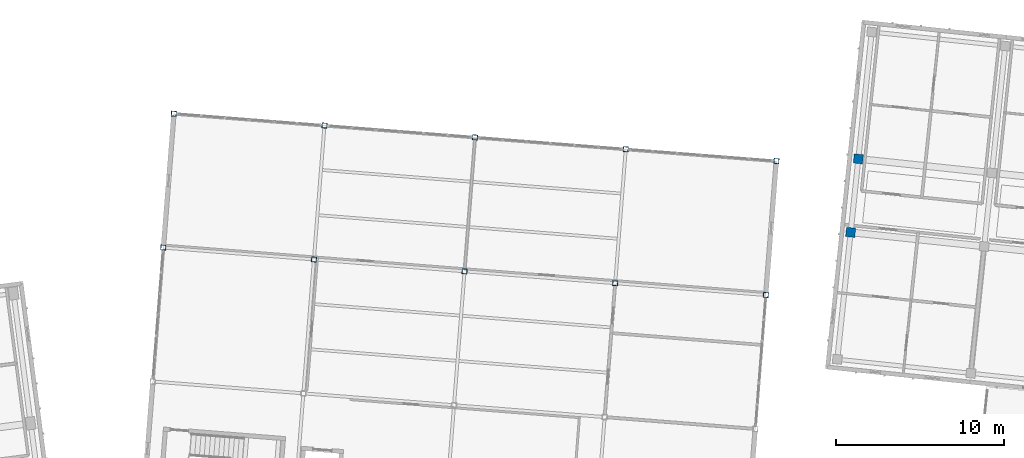
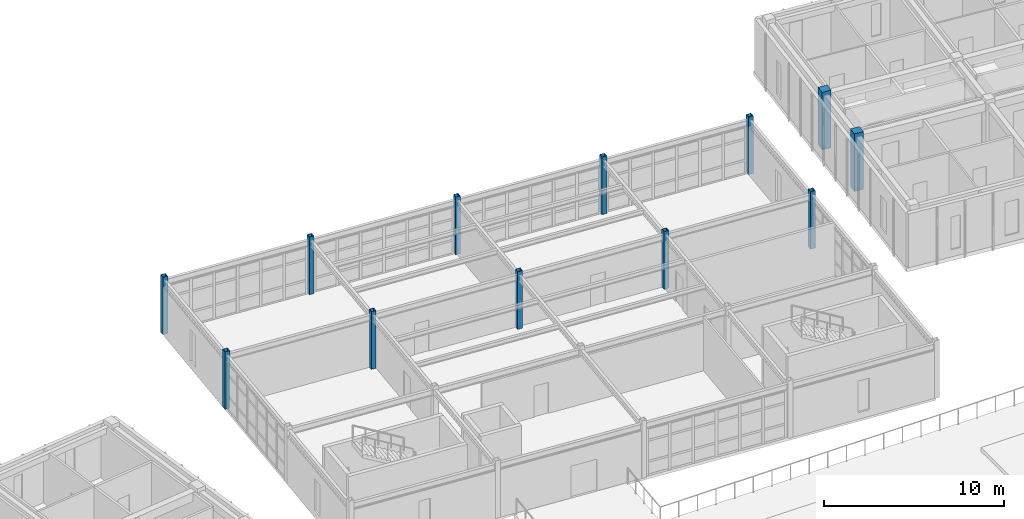
# One storey, part 4 of 150: 12 columns.
"""IFC4 building model written with IfcOpenShell, lengths in metres."""

from ifc_helpers import new_model, si_unit, direction, frame, origin, origin_2d, place, context, subcontext, project, spatial, rectangle, hollow_rectangle, extrude, material, material_profile, profile_set, type_object, element, save


model = new_model("IFC4")

# Units and contexts
model_context = context("Model", 3, precision=1e-05, world=origin(), true_north=direction((0.0, 1.0)))
body_context = subcontext(model_context, "Body", "Model", "MODEL_VIEW")
ifc_project = project(units=[si_unit("LENGTHUNIT", "METRE"), si_unit("AREAUNIT", "SQUARE_METRE"), si_unit("VOLUMEUNIT", "CUBIC_METRE"), si_unit("PLANEANGLEUNIT", "RADIAN"), si_unit("MASSUNIT", "GRAM", prefix="KILO")], contexts=[model_context])

# Site, building, storey
site_placement = place(None, origin())
site = spatial("IfcSite", under=ifc_project, at=site_placement, CompositionType="ELEMENT")
building_placement = place(site_placement, origin())
building = spatial("IfcBuilding", under=site, at=building_placement, Name="Kestramere Prow Commons", CompositionType="ELEMENT")
storey_placement = place(building_placement, frame((0.0, 0.0, 4.5)))
storey = spatial("IfcBuildingStorey", under=building, at=storey_placement, Name="L01", CompositionType="ELEMENT", Elevation=4.5)

# Columns
ifc_material_1 = material(Name="Precast concrete C40/50", Category="concrete")
ifc_material_profile_1 = material_profile(ifc_material_1, rectangle(XDim=0.550048828125, YDim=0.550048828125, at=origin_2d()), Name="PC-COL 550x550")
ifc_profile_set_1 = profile_set([ifc_material_profile_1], Name="Precast concrete C40/50")
column_type_1 = type_object("IfcColumnType", Name="C-B2 PC-COL 550x550", PredefinedType="COLUMN", material=ifc_profile_set_1)
for number, where, z_axis, x_axis, name in (
    (1, (110.79443359375, 102.3583984375, 0.0), (0.0, 0.0, 1.0), (0.994521895368, -0.104528463268, 0.0), "Block B L01 Column 1-2"),
    (2, (111.25439453125, 106.734375, 0.0), (0.0, 0.0, 1.0), (0.994521895368, -0.104528463268, 0.0), "Block B L01 Column 1-3"),
):
    element("IfcColumn", number, at=place(storey_placement, frame(where, z_axis=z_axis, x_axis=x_axis)), inside=storey, type_object=column_type_1, Name=name, PredefinedType="COLUMN", context=body_context, shape_type="SweptSolid", body=[
        extrude(rectangle(XDim=0.550048828125, YDim=0.550048828125, at=origin_2d()), origin(), (0.0, 0.0, 1.0), 3.89990234375),
    ])
ifc_material_2 = material(Name="Steel S355JR", Category="steel")
ifc_material_profile_2 = material_profile(ifc_material_2, hollow_rectangle(XDim=0.300048828125, YDim=0.300048828125, WallThickness=0.01611328125, at=origin_2d()), Name="SHS 300x300x16")
ifc_profile_set_2 = profile_set([ifc_material_profile_2], Name="Steel S355JR")
column_type_2 = type_object("IfcColumnType", Name="C-NR1 SHS 300x300x16", PredefinedType="COLUMN", material=ifc_profile_set_2)
for number, where, z_axis, x_axis, name in (
    (3, (69.855224609375, 101.45068359375, 0.0), (0.0, 0.0, 1.0), (0.996917333733, -0.078459095728, 0.0), "Nursery L01 Steel Column 1-3"),
    (4, (70.48291015625, 109.426025390625, 0.0), (0.0, 0.0, 1.0), (0.996917333733, -0.078459095728, 0.0), "Nursery L01 Steel Column 1-4"),
    (5, (79.455322265625, 108.719970703125, 0.0), (0.0, 0.0, 1.0), (0.996917333733, -0.078459095728, 0.0), "Nursery L01 Steel Column 2-4"),
    (6, (88.427490234375, 108.013671875, 0.0), (0.0, 0.0, 1.0), (0.996917333733, -0.078459095728, 0.0), "Nursery L01 Steel Column 3-4"),
    (7, (97.39990234375, 107.3076171875, 0.0), (0.0, 0.0, 1.0), (0.996917333733, -0.078459095728, 0.0), "Nursery L01 Steel Column 4-4"),
    (8, (105.744384765625, 98.626220703125, 0.0), (0.0, 0.0, 1.0), (0.996917333733, -0.078459095728, 0.0), "Nursery L01 Steel Column 5-3"),
    (9, (106.3720703125, 106.6015625, 0.0), (0.0, 0.0, 1.0), (0.996917333733, -0.078459095728, 0.0), "Nursery L01 Steel Column 5-4"),
):
    element("IfcColumn", number, at=place(storey_placement, frame(where, z_axis=z_axis, x_axis=x_axis)), inside=storey, type_object=column_type_2, Name=name, PredefinedType="COLUMN", context=body_context, shape_type="SweptSolid", body=[
        extrude(hollow_rectangle(XDim=0.300048828125, YDim=0.300048828125, WallThickness=0.01611328125, at=origin_2d()), origin(), (0.0, 0.0, 1.0), 3.89990234375),
    ])
ifc_material_profile_3 = material_profile(ifc_material_2, hollow_rectangle(XDim=0.300048828125, YDim=0.300048828125, WallThickness=0.01611328125, at=origin_2d()), Name="SHS 300x300x16")
ifc_profile_set_3 = profile_set([ifc_material_profile_3], Name="Steel S355JR")
column_type_3 = type_object("IfcColumnType", Name="C-NR1 SHS 300x300x16 (IN)", PredefinedType="COLUMN", material=ifc_profile_set_3)
for number, where, z_axis, x_axis, name in (
    (10, (78.82763671875, 100.74462890625, 0.0), (0.0, 0.0, 1.0), (0.996917333733, -0.078459095728, 0.0), "Nursery L01 Steel Column 2-3"),
    (11, (87.7998046875, 100.038330078125, 0.0), (0.0, 0.0, 1.0), (0.996917333733, -0.078459095728, 0.0), "Nursery L01 Steel Column 3-3"),
    (12, (96.772216796875, 99.332275390625, 0.0), (0.0, 0.0, 1.0), (0.996917333733, -0.078459095728, 0.0), "Nursery L01 Steel Column 4-3"),
):
    element("IfcColumn", number, at=place(storey_placement, frame(where, z_axis=z_axis, x_axis=x_axis)), inside=storey, type_object=column_type_3, Name=name, PredefinedType="COLUMN", context=body_context, shape_type="SweptSolid", body=[
        extrude(hollow_rectangle(XDim=0.300048828125, YDim=0.300048828125, WallThickness=0.01611328125, at=origin_2d()), origin(), (0.0, 0.0, 1.0), 3.89990234375),
    ])

save(model, "model.ifc")
